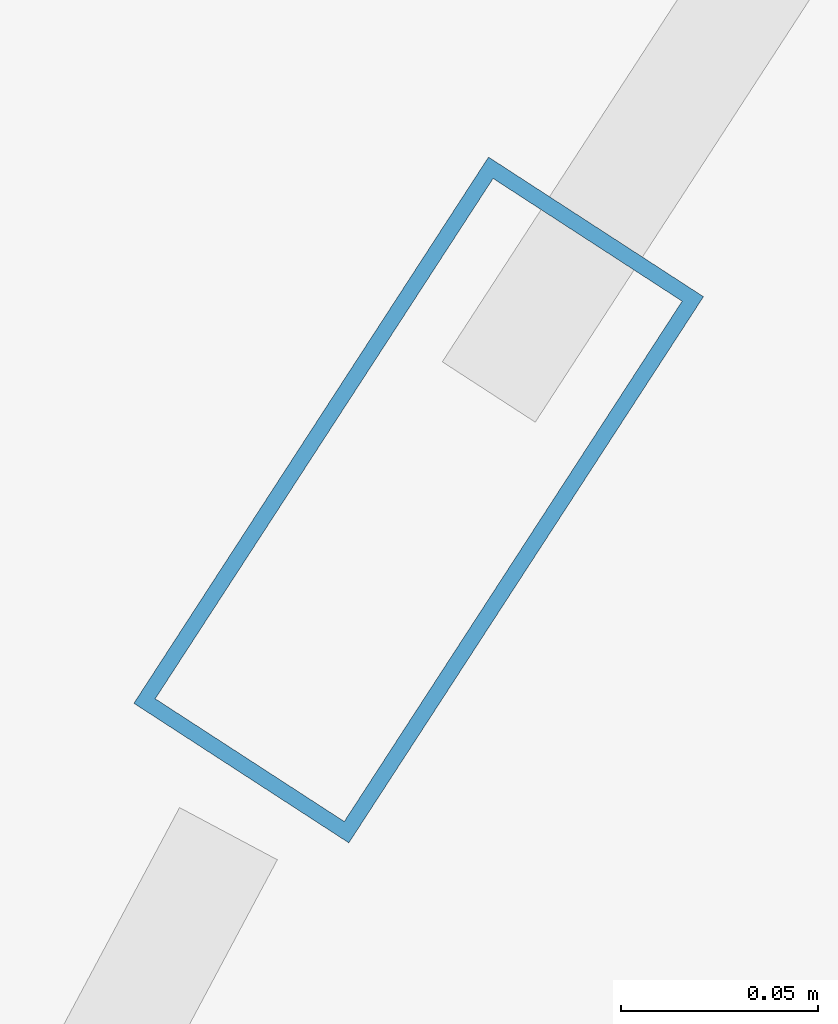
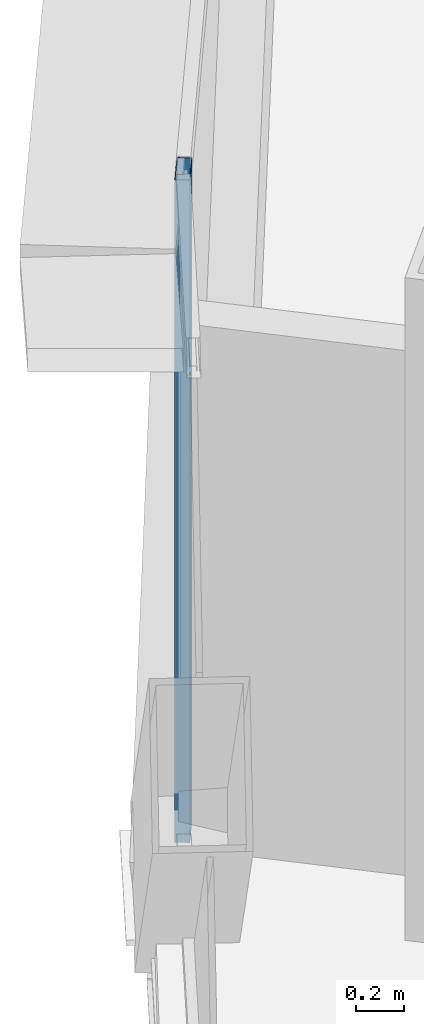
# One storey, part 16 of 42: 1 member, 1 element without a shape of its own.
"""IFC4 building model written with IfcOpenShell, lengths in metres."""

from ifc_helpers import new_model, si_unit, direction, frame, origin, origin_2d, place, context, subcontext, project, spatial, hollow_rectangle, extrude, source, transform, mapped, material, layer, layer_set, material_profile, profile_set, type_object, element, aggregate, save


model = new_model("IFC4")

# Units and contexts
model_context = context("Model", 3, precision=1e-05, world=origin(), true_north=direction((0.0, 1.0)))
body_context = subcontext(model_context, "Body", "Model", "MODEL_VIEW")
ifc_project = project(units=[si_unit("LENGTHUNIT", "METRE"), si_unit("AREAUNIT", "SQUARE_METRE"), si_unit("VOLUMEUNIT", "CUBIC_METRE"), si_unit("PLANEANGLEUNIT", "RADIAN"), si_unit("MASSUNIT", "GRAM", prefix="KILO"), si_unit("THERMODYNAMICTEMPERATUREUNIT", "KELVIN"), si_unit("POWERUNIT", "WATT")], contexts=[model_context])

# Site, building, storey
site_placement = place(None, origin())
site = spatial("IfcSite", under=ifc_project, at=site_placement, CompositionType="ELEMENT")
building_placement = place(site_placement, origin())
building = spatial("IfcBuilding", under=site, at=building_placement, Name="Yunzhuo Pagoda Commons", CompositionType="ELEMENT")
storey_placement = place(building_placement, frame((0.0, 0.0, 48.550048828125)))
storey = spatial("IfcBuildingStorey", under=building, at=storey_placement, Name="L12", CompositionType="ELEMENT", Elevation=48.550048828125)

# Curtain wall, member
ifc_material = material(Name="Anodized aluminium 6063-T6", Category="aluminium")
ifc_layer = layer(ifc_material, 0.1650390625)
ifc_layer_set = layer_set([ifc_layer], Name="Anodized aluminium 6063-T6")
curtain_wall_type = type_object("IfcCurtainWallType", Name="CW-LOW Low-Zone Ribbon Curtain Wall", PredefinedType="NOTDEFINED", material=ifc_layer_set)
curtain_wall_placement = place(storey_placement, origin())
curtain_wall = element("IfcCurtainWall", 1, at=curtain_wall_placement, inside=storey, type_object=curtain_wall_type, Name="L12 curtain wall CW-L12-F3B2", PredefinedType="NOTDEFINED")
ifc_material_profile = material_profile(ifc_material, hollow_rectangle(XDim=0.06494140625, YDim=0.1650390625, WallThickness=0.00390625, at=origin_2d()), Name="Anodized aluminium 6063-T6")
ifc_profile_set = profile_set([ifc_material_profile], Name="Anodized aluminium 6063-T6")
member_type = type_object("IfcMemberType", Name="CW-LOW-M Mullion RHS 165x65x4", PredefinedType="MULLION", material=ifc_profile_set)
shared_shape = source(origin(), body_context, "Body", "SweptSolid", [
    extrude(hollow_rectangle(XDim=0.06494140625, YDim=0.1650390625, WallThickness=0.00390625, at=origin_2d()), origin(), (0.0, 0.0, 1.0), 3.369873046875),
])
member_placement = place(storey_placement, frame((21.17041015625, 57.900634765625, 0.0), z_axis=(0.0, 0.0, 1.0), x_axis=(0.838709783089, -0.54457864423, 0.0)))
member = element("IfcMember", 2, at=member_placement, type_object=member_type, Name="CW mullion 2", PredefinedType="MULLION", context=body_context, shape_type="MappedRepresentation", body=[
    mapped(shared_shape, transform((0.0, 0.0, 0.0), scale=1.0)),
])
aggregate(curtain_wall, [member])

save(model, "model.ifc")
